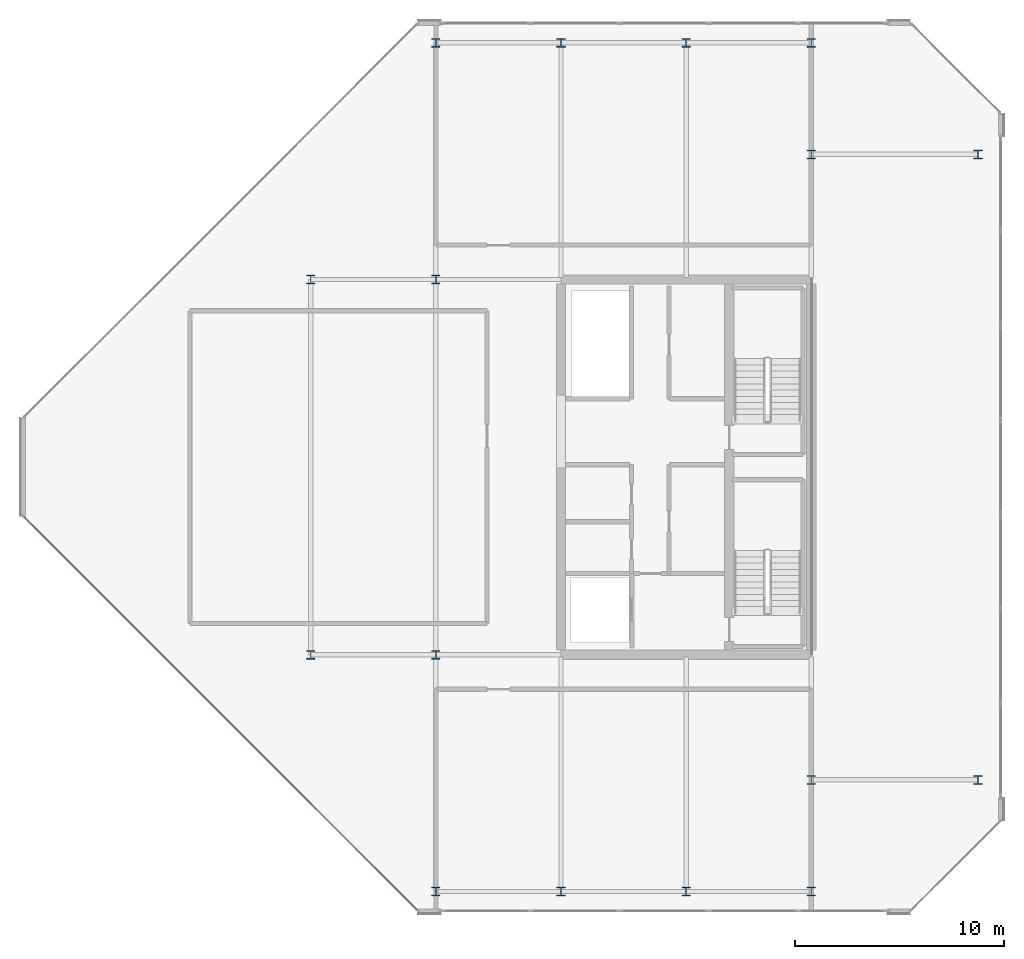
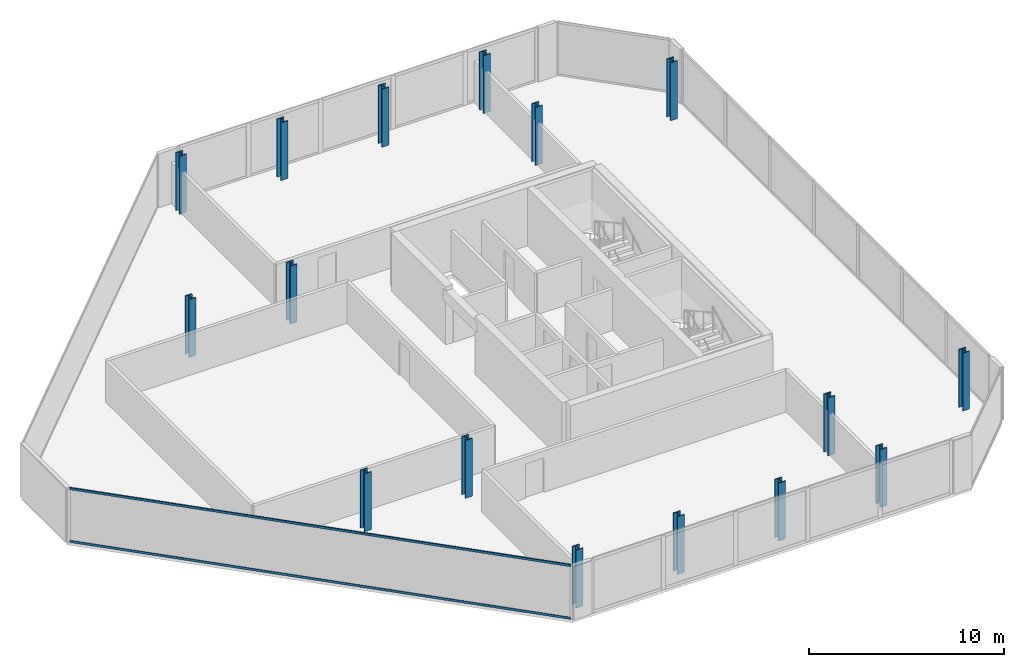
# One storey, part 1 of 16: 16 columns, 2 members, 1 element without a shape of its own.
"""IFC4 building model written with IfcOpenShell, lengths in metres."""

from ifc_helpers import new_model, si_unit, direction, frame, origin, origin_2d, place, context, subcontext, project, spatial, hollow_rectangle, i_section, extrude, material, layer, layer_set, material_profile, profile_set, type_object, element, aggregate, save


model = new_model("IFC4")

# Units and contexts
model_context = context("Model", 3, precision=1e-05, world=origin(), true_north=direction((0.0, 1.0)))
body_context = subcontext(model_context, "Body", "Model", "MODEL_VIEW")
ifc_project = project(units=[si_unit("LENGTHUNIT", "METRE"), si_unit("AREAUNIT", "SQUARE_METRE"), si_unit("VOLUMEUNIT", "CUBIC_METRE"), si_unit("PLANEANGLEUNIT", "RADIAN"), si_unit("MASSUNIT", "GRAM", prefix="KILO")], contexts=[model_context])

# Site, building, storey
site_placement = place(None, origin())
site = spatial("IfcSite", under=ifc_project, at=site_placement, CompositionType="ELEMENT")
building_placement = place(site_placement, origin())
building = spatial("IfcBuilding", under=site, at=building_placement, Name="Tanjung Sevakor Pilgrim Tower", CompositionType="ELEMENT")
storey_placement = place(building_placement, frame((0.0, 0.0, 275.219970703125)))
storey = spatial("IfcBuildingStorey", under=building, at=storey_placement, Name="L77", CompositionType="ELEMENT", Elevation=275.219970703125)

# Columns
ifc_material_1 = material(Name="Steel S460M", Category="steel")
ifc_material_profile_1 = material_profile(ifc_material_1, i_section(OverallWidth=0.412109375, OverallDepth=0.43505859375, WebThickness=0.035888671875, FlangeThickness=0.054931640625, FilletRadius=0.014892578125, at=origin_2d()))
ifc_profile_set_1 = profile_set([ifc_material_profile_1], Name="Steel S460M")
column_type = type_object("IfcColumnType", Name="COL-C-S463-HD_400x463", PredefinedType="COLUMN", material=ifc_profile_set_1)
for number, where, z_axis, x_axis, name in (
    (1, (66.0, 24.60009765625, 0.0), (0.0, 0.0, 1.0), (1.0, 0.0, 0.0), "L77 Column SPE-066-246"),
    (2, (66.0, 42.60009765625, 0.0), (0.0, 0.0, 1.0), (1.0, 0.0, 0.0), "L77 Column SPE-066-426"),
    (3, (72.0, 24.60009765625, 0.0), (0.0, 0.0, 1.0), (1.0, 0.0, 0.0), "L77 Column SPE-072-246"),
    (4, (72.0, 42.60009765625, 0.0), (0.0, 0.0, 1.0), (1.0, 0.0, 0.0), "L77 Column SPE-072-426"),
    (5, (90.0, 18.60009765625, 0.0), (0.0, 0.0, 1.0), (1.0, 0.0, 0.0), "L77 Column TCE-0900-186"),
    (6, (90.0, 48.60009765625, 0.0), (0.0, 0.0, 1.0), (1.0, 0.0, 0.0), "L77 Column TCE-0900-486"),
    (7, (98.0, 18.60009765625, 0.0), (0.0, 0.0, 1.0), (1.0, 0.0, 0.0), "L77 Column TCE-0980-186"),
    (8, (98.0, 48.60009765625, 0.0), (0.0, 0.0, 1.0), (1.0, 0.0, 0.0), "L77 Column TCE-0980-486"),
    (9, (72.0, 13.25, 0.0), (0.0, 0.0, 1.0), (1.0, 0.0, 0.0), "L77 Column TC4-072-132"),
    (10, (72.0, 53.949951171875, 0.0), (0.0, 0.0, 1.0), (1.0, 0.0, 0.0), "L77 Column TC4-072-540"),
    (11, (78.0, 13.25, 0.0), (0.0, 0.0, 1.0), (1.0, 0.0, 0.0), "L77 Column TC4-078-132"),
    (12, (78.0, 53.949951171875, 0.0), (0.0, 0.0, 1.0), (1.0, 0.0, 0.0), "L77 Column TC4-078-540"),
    (13, (84.0, 13.25, 0.0), (0.0, 0.0, 1.0), (1.0, 0.0, 0.0), "L77 Column TC4-084-132"),
    (14, (84.0, 53.949951171875, 0.0), (0.0, 0.0, 1.0), (1.0, 0.0, 0.0), "L77 Column TC4-084-540"),
    (15, (90.0, 13.25, 0.0), (0.0, 0.0, 1.0), (1.0, 0.0, 0.0), "L77 Column TC4-090-132"),
    (16, (90.0, 53.949951171875, 0.0), (0.0, 0.0, 1.0), (1.0, 0.0, 0.0), "L77 Column TC4-090-540"),
):
    element("IfcColumn", number, at=place(storey_placement, frame(where, z_axis=z_axis, x_axis=x_axis)), inside=storey, type_object=column_type, Name=name, PredefinedType="COLUMN", context=body_context, shape_type="SweptSolid", body=[
        extrude(i_section(OverallWidth=0.412109375, OverallDepth=0.43505859375, WebThickness=0.035888671875, FlangeThickness=0.054931640625, FilletRadius=0.014892578125, at=origin_2d()), origin(), (0.0, 0.0, 1.0), 3.630126953125),
    ])

# Curtain wall, members
ifc_material_2 = material(Name="Aluminium 6063-T6 and Low-E Glass", Category="aluminium")
ifc_layer = layer(ifc_material_2, 0.179931640625)
ifc_layer_set = layer_set([ifc_layer], Name="CW-SYS-CHAM")
curtain_wall_type = type_object("IfcCurtainWallType", Name="CW-SYS-CHAM", PredefinedType="NOTDEFINED", material=ifc_layer_set)
curtain_wall_placement = place(storey_placement, origin())
curtain_wall = element("IfcCurtainWall", 17, at=curtain_wall_placement, inside=storey, type_object=curtain_wall_type, Name="L77 Curtain Wall CW-CHM-L77-EAST-7", PredefinedType="NOTDEFINED")
ifc_material_3 = material(Name="Aluminium 6063-T6", Category="aluminium")
ifc_material_profile_2 = material_profile(ifc_material_3, hollow_rectangle(XDim=0.06494140625, YDim=0.139892578125, WallThickness=0.00390625, at=origin_2d()))
ifc_profile_set_2 = profile_set([ifc_material_profile_2], Name="Aluminium 6063-T6")
member_type = type_object("IfcMemberType", Name="TYPE-CWT-1", PredefinedType="USERDEFINED", material=ifc_profile_set_2)
member_1_placement = place(storey_placement, frame((52.255859375, 31.19970703125, 0.032470703125), z_axis=(0.707106781187, -0.707106781187, 0.0), x_axis=(0.707106781187, 0.707106781187, 0.0)))
member_1 = element("IfcMember", 18, at=member_1_placement, type_object=member_type, Name="CW-CHM transom 1.1", ObjectType="TRANSOM", PredefinedType="USERDEFINED", context=body_context, shape_type="SweptSolid", body=[
    extrude(hollow_rectangle(XDim=0.06494140625, YDim=0.139892578125, WallThickness=0.00390625, at=origin_2d()), origin(), (0.0, 0.0, 1.0), 26.649169921875),
])
member_2_placement = place(storey_placement, frame((52.255859375, 31.19970703125, 3.337646484375), z_axis=(0.707106781187, -0.707106781187, 0.0), x_axis=(0.707106781187, 0.707106781187, 0.0)))
member_2 = element("IfcMember", 19, at=member_2_placement, type_object=member_type, Name="CW-CHM transom 1.2", ObjectType="TRANSOM", PredefinedType="USERDEFINED", context=body_context, shape_type="SweptSolid", body=[
    extrude(hollow_rectangle(XDim=0.06494140625, YDim=0.139892578125, WallThickness=0.00390625, at=origin_2d()), origin(), (0.0, 0.0, 1.0), 26.649169921875),
])
aggregate(curtain_wall, [member_1, member_2])

save(model, "model.ifc")
